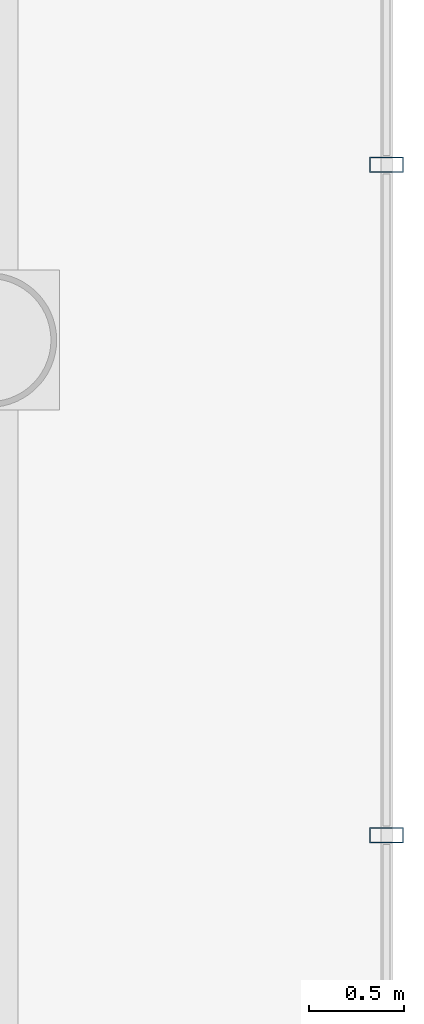
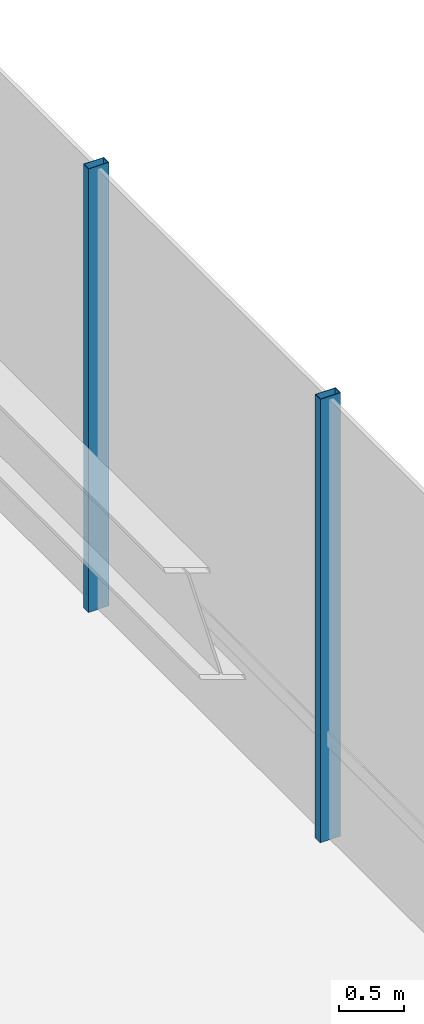
# One storey, part 31 of 43: 2 members, 1 element without a shape of its own.
"""IFC4 building model written with IfcOpenShell, lengths in metres."""

from ifc_helpers import new_model, si_unit, direction, frame, origin, origin_2d, place, context, subcontext, project, spatial, hollow_rectangle, extrude, material, layer, layer_set, material_profile, profile_set, type_object, element, aggregate, save


model = new_model("IFC4")

# Units and contexts
model_context = context("Model", 3, precision=1e-05, world=origin(), true_north=direction((0.0, 1.0)))
body_context = subcontext(model_context, "Body", "Model", "MODEL_VIEW")
ifc_project = project(units=[si_unit("LENGTHUNIT", "METRE"), si_unit("AREAUNIT", "SQUARE_METRE"), si_unit("VOLUMEUNIT", "CUBIC_METRE"), si_unit("PLANEANGLEUNIT", "RADIAN"), si_unit("MASSUNIT", "GRAM", prefix="KILO")], contexts=[model_context])

# Site, building, storey
site_placement = place(None, origin())
site = spatial("IfcSite", under=ifc_project, at=site_placement, CompositionType="ELEMENT")
building_placement = place(site_placement, origin())
building = spatial("IfcBuilding", under=site, at=building_placement, Name="Zarrinselat Tower", CompositionType="ELEMENT")
storey_placement = place(building_placement, frame((0.0, 0.0, 5.10009765625)))
storey = spatial("IfcBuildingStorey", under=building, at=storey_placement, Name="L01", CompositionType="ELEMENT", Elevation=5.10009765625)

# Curtain wall, members
ifc_material_1 = material(Name="Extruded Aluminium Alloy EN AW-6063 T6", Category="aluminium")
ifc_layer = layer(ifc_material_1, 0.2099609375)
ifc_layer_set = layer_set([ifc_layer], Name="Extruded Aluminium Alloy EN AW-6063 T6")
curtain_wall_type = type_object("IfcCurtainWallType", Name="CWS-POD", PredefinedType="NOTDEFINED", material=ifc_layer_set)
curtain_wall_placement = place(storey_placement, origin())
curtain_wall = element("IfcCurtainWall", 1, at=curtain_wall_placement, inside=storey, type_object=curtain_wall_type, Name="L01 Unitised Curtain Wall CW-L01-F3", PredefinedType="NOTDEFINED")
ifc_material_2 = material(Name="Extruded Aluminium Alloy EN AW-6063 T6", Category="aluminium")
ifc_material_profile = material_profile(ifc_material_2, hollow_rectangle(XDim=0.080078125, YDim=0.179931640625, WallThickness=0.0048828125, at=origin_2d()), Name="RHS 180x80x5")
ifc_profile_set = profile_set([ifc_material_profile], Name="Extruded Aluminium Alloy EN AW-6063 T6")
member_type = type_object("IfcMemberType", Name="MEM-CW-MUL", PredefinedType="MULLION", material=ifc_profile_set)
member_1_placement = place(storey_placement, frame((79.300048828125, 23.181884765625, 0.0), z_axis=(0.0, 0.0, 1.0), x_axis=(0.0, 1.0, 0.0)))
member_1 = element("IfcMember", 2, at=member_1_placement, type_object=member_type, Name="CW-L01-F3 Mullion 5", PredefinedType="MULLION", context=body_context, shape_type="SweptSolid", body=[
    extrude(hollow_rectangle(XDim=0.080078125, YDim=0.179931640625, WallThickness=0.0048828125, at=origin_2d()), origin(), (0.0, 0.0, 1.0), 4.139892578125),
])
member_2_placement = place(storey_placement, frame((79.300048828125, 26.727294921875, 0.0), z_axis=(0.0, 0.0, 1.0), x_axis=(0.0, 1.0, 0.0)))
member_2 = element("IfcMember", 3, at=member_2_placement, type_object=member_type, Name="CW-L01-F3 Mullion 6", PredefinedType="MULLION", context=body_context, shape_type="SweptSolid", body=[
    extrude(hollow_rectangle(XDim=0.080078125, YDim=0.179931640625, WallThickness=0.0048828125, at=origin_2d()), origin(), (0.0, 0.0, 1.0), 4.139892578125),
])
aggregate(curtain_wall, [member_1, member_2])

save(model, "model.ifc")
